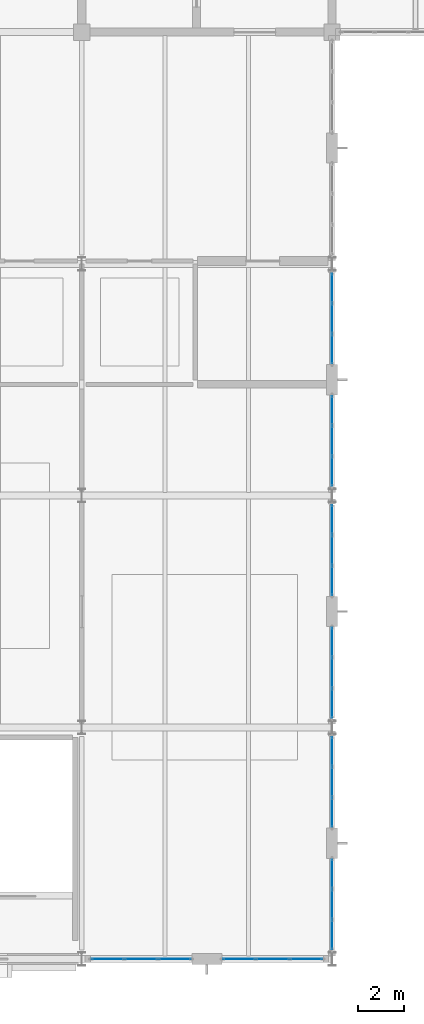
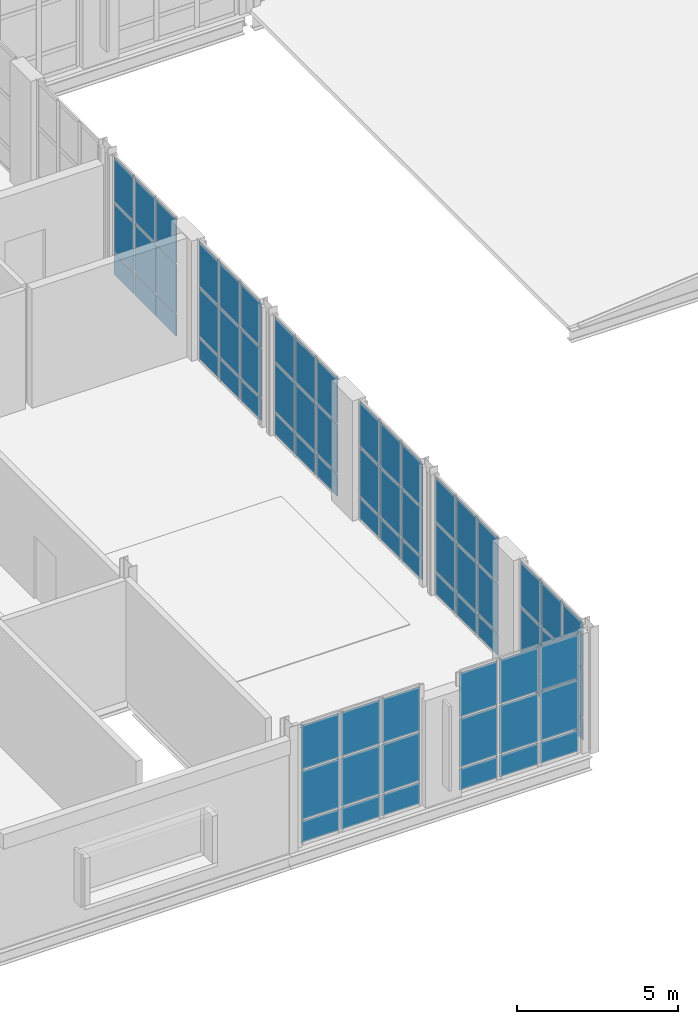
# One storey, part 56 of 92: 72 plates, 8 elements without a shape of their own.
"""IFC4 building model written with IfcOpenShell, lengths in metres."""

from ifc_helpers import new_model, si_unit, direction, frame, origin, origin_2d, place, context, subcontext, project, spatial, rectangle, extrude, material, layer, layer_set, type_object, element, aggregate, save


model = new_model("IFC4")

# Units and contexts
model_context = context("Model", 3, precision=1e-05, world=origin(), true_north=direction((0.0, 1.0)))
body_context = subcontext(model_context, "Body", "Model", "MODEL_VIEW")
ifc_project = project(units=[si_unit("LENGTHUNIT", "METRE"), si_unit("AREAUNIT", "SQUARE_METRE"), si_unit("VOLUMEUNIT", "CUBIC_METRE"), si_unit("PLANEANGLEUNIT", "RADIAN"), si_unit("MASSUNIT", "GRAM", prefix="KILO")], contexts=[model_context])

# Site, building, storey
site_placement = place(None, origin())
site = spatial("IfcSite", under=ifc_project, at=site_placement, CompositionType="ELEMENT")
building_placement = place(site_placement, origin())
building = spatial("IfcBuilding", under=site, at=building_placement, Name="Tasgan Crest Museum", CompositionType="ELEMENT")
storey_placement = place(building_placement, frame((0.0, 0.0, 4.800048828125)))
storey = spatial("IfcBuildingStorey", under=building, at=storey_placement, Name="L01", CompositionType="ELEMENT", Elevation=4.800048828125)

# Curtain wall, plates
ifc_material_1 = material(Name="Triple-Glazed Aluminium Curtain Wall", Category="aluminium")
ifc_layer_1 = layer(ifc_material_1, 0.179931640625, Name="CW-PORCH-X")
ifc_layer_set_1 = layer_set([ifc_layer_1], Name="Triple-Glazed Aluminium Curtain Wall")
curtain_wall_type_1 = type_object("IfcCurtainWallType", Name="CW-PORCH-X", PredefinedType="NOTDEFINED", material=ifc_layer_set_1)
curtain_wall_1_placement = place(storey_placement, origin())
curtain_wall_1 = element("IfcCurtainWall", 1, at=curtain_wall_1_placement, inside=storey, type_object=curtain_wall_type_1, Name="Curtain wall L01 017", PredefinedType="NOTDEFINED")
ifc_material_2 = material(Name="Insulated Spandrel Glass", Category="glass")
ifc_layer_2 = layer(ifc_material_2, 0.052001953125, Name="CW-PANEL-SPANDREL")
ifc_layer_set_2 = layer_set([ifc_layer_2], Name="Insulated Spandrel Glass")
plate_type_1 = type_object("IfcPlateType", Name="CW-PANEL-SPANDREL", PredefinedType="CURTAIN_PANEL", material=ifc_layer_set_2)
plate_1_placement = place(storey_placement, frame((44.311767578125, 0.0, 0.059814453125), z_axis=(0.0, 0.0, 1.0), x_axis=(1.0, 0.0, 0.0)))
plate_1 = element("IfcPlate", 2, at=plate_1_placement, type_object=plate_type_1, Name="CW01 panel 1.1", PredefinedType="CURTAIN_PANEL", context=body_context, shape_type="SweptSolid", body=[
    extrude(rectangle(XDim=1.373291015625, YDim=0.028076171875, at=origin_2d()), origin(), (0.0, 0.0, 1.0), 0.81005859375),
])
plate_2_placement = place(storey_placement, frame((45.760009765625, 0.0, 0.059814453125), z_axis=(0.0, 0.0, 1.0), x_axis=(1.0, 0.0, 0.0)))
plate_2 = element("IfcPlate", 3, at=plate_2_placement, type_object=plate_type_1, Name="CW01 panel 2.1", PredefinedType="CURTAIN_PANEL", context=body_context, shape_type="SweptSolid", body=[
    extrude(rectangle(XDim=1.4033203125, YDim=0.028076171875, at=origin_2d()), origin(), (0.0, 0.0, 1.0), 0.81005859375),
])
plate_3_placement = place(storey_placement, frame((47.208251953125, 0.0, 0.059814453125), z_axis=(0.0, 0.0, 1.0), x_axis=(1.0, 0.0, 0.0)))
plate_3 = element("IfcPlate", 4, at=plate_3_placement, type_object=plate_type_1, Name="CW01 panel 3.1", PredefinedType="CURTAIN_PANEL", context=body_context, shape_type="SweptSolid", body=[
    extrude(rectangle(XDim=1.373291015625, YDim=0.028076171875, at=origin_2d()), origin(), (0.0, 0.0, 1.0), 0.81005859375),
])

curtain_wall_2_placement = place(storey_placement, origin())
curtain_wall_2 = element("IfcCurtainWall", 5, at=curtain_wall_2_placement, inside=storey, type_object=curtain_wall_type_1, Name="Curtain wall L01 018", PredefinedType="NOTDEFINED")
plate_4_placement = place(storey_placement, frame((49.99169921875, 0.0, 0.059814453125), z_axis=(0.0, 0.0, 1.0), x_axis=(1.0, 0.0, 0.0)))
plate_4 = element("IfcPlate", 6, at=plate_4_placement, type_object=plate_type_1, Name="CW01 panel 1.1", PredefinedType="CURTAIN_PANEL", context=body_context, shape_type="SweptSolid", body=[
    extrude(rectangle(XDim=1.373291015625, YDim=0.028076171875, at=origin_2d()), origin(), (0.0, 0.0, 1.0), 0.81005859375),
])
plate_5_placement = place(storey_placement, frame((51.43994140625, 0.0, 0.059814453125), z_axis=(0.0, 0.0, 1.0), x_axis=(1.0, 0.0, 0.0)))
plate_5 = element("IfcPlate", 7, at=plate_5_placement, type_object=plate_type_1, Name="CW01 panel 2.1", PredefinedType="CURTAIN_PANEL", context=body_context, shape_type="SweptSolid", body=[
    extrude(rectangle(XDim=1.4033203125, YDim=0.028076171875, at=origin_2d()), origin(), (0.0, 0.0, 1.0), 0.81005859375),
])
plate_6_placement = place(storey_placement, frame((52.888427734375, 0.0, 0.059814453125), z_axis=(0.0, 0.0, 1.0), x_axis=(1.0, 0.0, 0.0)))
plate_6 = element("IfcPlate", 8, at=plate_6_placement, type_object=plate_type_1, Name="CW01 panel 3.1", PredefinedType="CURTAIN_PANEL", context=body_context, shape_type="SweptSolid", body=[
    extrude(rectangle(XDim=1.373291015625, YDim=0.028076171875, at=origin_2d()), origin(), (0.0, 0.0, 1.0), 0.81005859375),
])

ifc_material_3 = material(Name="Triple-Glazed Aluminium Curtain Wall", Category="aluminium")
ifc_layer_3 = layer(ifc_material_3, 0.179931640625, Name="CW-PORCH-Y")
ifc_layer_set_3 = layer_set([ifc_layer_3], Name="Triple-Glazed Aluminium Curtain Wall")
curtain_wall_type_2 = type_object("IfcCurtainWallType", Name="CW-PORCH-Y", PredefinedType="NOTDEFINED", material=ifc_layer_set_3)
curtain_wall_3_placement = place(storey_placement, origin())
curtain_wall_3 = element("IfcCurtainWall", 9, at=curtain_wall_3_placement, inside=storey, type_object=curtain_wall_type_2, Name="Curtain wall L01 019", PredefinedType="NOTDEFINED")
plate_7_placement = place(storey_placement, frame((54.0, 1.044921875, 0.059814453125), z_axis=(0.0, 0.0, 1.0), x_axis=(0.0, 1.0, 0.0)))
plate_7 = element("IfcPlate", 10, at=plate_7_placement, type_object=plate_type_1, Name="CW02 panel 1.1", PredefinedType="CURTAIN_PANEL", context=body_context, shape_type="SweptSolid", body=[
    extrude(rectangle(XDim=1.239990234375, YDim=0.028076171875, at=origin_2d()), origin(), (0.0, 0.0, 1.0), 0.81005859375),
])
plate_8_placement = place(storey_placement, frame((54.0, 2.360107421875, 0.059814453125), z_axis=(0.0, 0.0, 1.0), x_axis=(0.0, 1.0, 0.0)))
plate_8 = element("IfcPlate", 11, at=plate_8_placement, type_object=plate_type_1, Name="CW02 panel 2.1", PredefinedType="CURTAIN_PANEL", context=body_context, shape_type="SweptSolid", body=[
    extrude(rectangle(XDim=1.27001953125, YDim=0.028076171875, at=origin_2d()), origin(), (0.0, 0.0, 1.0), 0.81005859375),
])
plate_9_placement = place(storey_placement, frame((54.0, 3.675048828125, 0.059814453125), z_axis=(0.0, 0.0, 1.0), x_axis=(0.0, 1.0, 0.0)))
plate_9 = element("IfcPlate", 12, at=plate_9_placement, type_object=plate_type_1, Name="CW02 panel 3.1", PredefinedType="CURTAIN_PANEL", context=body_context, shape_type="SweptSolid", body=[
    extrude(rectangle(XDim=1.239990234375, YDim=0.028076171875, at=origin_2d()), origin(), (0.0, 0.0, 1.0), 0.81005859375),
])

curtain_wall_4_placement = place(storey_placement, origin())
curtain_wall_4 = element("IfcCurtainWall", 13, at=curtain_wall_4_placement, inside=storey, type_object=curtain_wall_type_2, Name="Curtain wall L01 020", PredefinedType="NOTDEFINED")
plate_10_placement = place(storey_placement, frame((54.0, 6.324951171875, 0.059814453125), z_axis=(0.0, 0.0, 1.0), x_axis=(0.0, 1.0, 0.0)))
plate_10 = element("IfcPlate", 14, at=plate_10_placement, type_object=plate_type_1, Name="CW02 panel 1.1", PredefinedType="CURTAIN_PANEL", context=body_context, shape_type="SweptSolid", body=[
    extrude(rectangle(XDim=1.239990234375, YDim=0.028076171875, at=origin_2d()), origin(), (0.0, 0.0, 1.0), 0.81005859375),
])
plate_11_placement = place(storey_placement, frame((54.0, 7.639892578125, 0.059814453125), z_axis=(0.0, 0.0, 1.0), x_axis=(0.0, 1.0, 0.0)))
plate_11 = element("IfcPlate", 15, at=plate_11_placement, type_object=plate_type_1, Name="CW02 panel 2.1", PredefinedType="CURTAIN_PANEL", context=body_context, shape_type="SweptSolid", body=[
    extrude(rectangle(XDim=1.27001953125, YDim=0.028076171875, at=origin_2d()), origin(), (0.0, 0.0, 1.0), 0.81005859375),
])
plate_12_placement = place(storey_placement, frame((54.0, 8.955078125, 0.059814453125), z_axis=(0.0, 0.0, 1.0), x_axis=(0.0, 1.0, 0.0)))
plate_12 = element("IfcPlate", 16, at=plate_12_placement, type_object=plate_type_1, Name="CW02 panel 3.1", PredefinedType="CURTAIN_PANEL", context=body_context, shape_type="SweptSolid", body=[
    extrude(rectangle(XDim=1.239990234375, YDim=0.028076171875, at=origin_2d()), origin(), (0.0, 0.0, 1.0), 0.81005859375),
])

curtain_wall_5_placement = place(storey_placement, origin())
curtain_wall_5 = element("IfcCurtainWall", 17, at=curtain_wall_5_placement, inside=storey, type_object=curtain_wall_type_2, Name="Curtain wall L01 021", PredefinedType="NOTDEFINED")
plate_13_placement = place(storey_placement, frame((54.0, 11.044921875, 0.059814453125), z_axis=(0.0, 0.0, 1.0), x_axis=(0.0, 1.0, 0.0)))
plate_13 = element("IfcPlate", 18, at=plate_13_placement, type_object=plate_type_1, Name="CW02 panel 1.1", PredefinedType="CURTAIN_PANEL", context=body_context, shape_type="SweptSolid", body=[
    extrude(rectangle(XDim=1.239990234375, YDim=0.028076171875, at=origin_2d()), origin(), (0.0, 0.0, 1.0), 0.81005859375),
])
plate_14_placement = place(storey_placement, frame((54.0, 12.360107421875, 0.059814453125), z_axis=(0.0, 0.0, 1.0), x_axis=(0.0, 1.0, 0.0)))
plate_14 = element("IfcPlate", 19, at=plate_14_placement, type_object=plate_type_1, Name="CW02 panel 2.1", PredefinedType="CURTAIN_PANEL", context=body_context, shape_type="SweptSolid", body=[
    extrude(rectangle(XDim=1.27001953125, YDim=0.028076171875, at=origin_2d()), origin(), (0.0, 0.0, 1.0), 0.81005859375),
])
plate_15_placement = place(storey_placement, frame((54.0, 13.675048828125, 0.059814453125), z_axis=(0.0, 0.0, 1.0), x_axis=(0.0, 1.0, 0.0)))
plate_15 = element("IfcPlate", 20, at=plate_15_placement, type_object=plate_type_1, Name="CW02 panel 3.1", PredefinedType="CURTAIN_PANEL", context=body_context, shape_type="SweptSolid", body=[
    extrude(rectangle(XDim=1.239990234375, YDim=0.028076171875, at=origin_2d()), origin(), (0.0, 0.0, 1.0), 0.81005859375),
])

curtain_wall_6_placement = place(storey_placement, origin())
curtain_wall_6 = element("IfcCurtainWall", 21, at=curtain_wall_6_placement, inside=storey, type_object=curtain_wall_type_2, Name="Curtain wall L01 022", PredefinedType="NOTDEFINED")
plate_16_placement = place(storey_placement, frame((54.0, 16.324951171875, 0.059814453125), z_axis=(0.0, 0.0, 1.0), x_axis=(0.0, 1.0, 0.0)))
plate_16 = element("IfcPlate", 22, at=plate_16_placement, type_object=plate_type_1, Name="CW02 panel 1.1", PredefinedType="CURTAIN_PANEL", context=body_context, shape_type="SweptSolid", body=[
    extrude(rectangle(XDim=1.239990234375, YDim=0.028076171875, at=origin_2d()), origin(), (0.0, 0.0, 1.0), 0.81005859375),
])
plate_17_placement = place(storey_placement, frame((54.0, 17.639892578125, 0.059814453125), z_axis=(0.0, 0.0, 1.0), x_axis=(0.0, 1.0, 0.0)))
plate_17 = element("IfcPlate", 23, at=plate_17_placement, type_object=plate_type_1, Name="CW02 panel 2.1", PredefinedType="CURTAIN_PANEL", context=body_context, shape_type="SweptSolid", body=[
    extrude(rectangle(XDim=1.27001953125, YDim=0.028076171875, at=origin_2d()), origin(), (0.0, 0.0, 1.0), 0.81005859375),
])
plate_18_placement = place(storey_placement, frame((54.0, 18.955078125, 0.059814453125), z_axis=(0.0, 0.0, 1.0), x_axis=(0.0, 1.0, 0.0)))
plate_18 = element("IfcPlate", 24, at=plate_18_placement, type_object=plate_type_1, Name="CW02 panel 3.1", PredefinedType="CURTAIN_PANEL", context=body_context, shape_type="SweptSolid", body=[
    extrude(rectangle(XDim=1.239990234375, YDim=0.028076171875, at=origin_2d()), origin(), (0.0, 0.0, 1.0), 0.81005859375),
])

curtain_wall_7_placement = place(storey_placement, origin())
curtain_wall_7 = element("IfcCurtainWall", 25, at=curtain_wall_7_placement, inside=storey, type_object=curtain_wall_type_2, Name="Curtain wall L01 023", PredefinedType="NOTDEFINED")
plate_19_placement = place(storey_placement, frame((54.0, 21.044921875, 0.059814453125), z_axis=(0.0, 0.0, 1.0), x_axis=(0.0, 1.0, 0.0)))
plate_19 = element("IfcPlate", 26, at=plate_19_placement, type_object=plate_type_1, Name="CW02 panel 1.1", PredefinedType="CURTAIN_PANEL", context=body_context, shape_type="SweptSolid", body=[
    extrude(rectangle(XDim=1.239990234375, YDim=0.028076171875, at=origin_2d()), origin(), (0.0, 0.0, 1.0), 0.81005859375),
])
plate_20_placement = place(storey_placement, frame((54.0, 22.360107421875, 0.059814453125), z_axis=(0.0, 0.0, 1.0), x_axis=(0.0, 1.0, 0.0)))
plate_20 = element("IfcPlate", 27, at=plate_20_placement, type_object=plate_type_1, Name="CW02 panel 2.1", PredefinedType="CURTAIN_PANEL", context=body_context, shape_type="SweptSolid", body=[
    extrude(rectangle(XDim=1.27001953125, YDim=0.028076171875, at=origin_2d()), origin(), (0.0, 0.0, 1.0), 0.81005859375),
])
plate_21_placement = place(storey_placement, frame((54.0, 23.675048828125, 0.059814453125), z_axis=(0.0, 0.0, 1.0), x_axis=(0.0, 1.0, 0.0)))
plate_21 = element("IfcPlate", 28, at=plate_21_placement, type_object=plate_type_1, Name="CW02 panel 3.1", PredefinedType="CURTAIN_PANEL", context=body_context, shape_type="SweptSolid", body=[
    extrude(rectangle(XDim=1.239990234375, YDim=0.028076171875, at=origin_2d()), origin(), (0.0, 0.0, 1.0), 0.81005859375),
])

curtain_wall_8_placement = place(storey_placement, origin())
curtain_wall_8 = element("IfcCurtainWall", 29, at=curtain_wall_8_placement, inside=storey, type_object=curtain_wall_type_2, Name="Curtain wall L01 024", PredefinedType="NOTDEFINED")
plate_22_placement = place(storey_placement, frame((54.0, 26.324951171875, 0.059814453125), z_axis=(0.0, 0.0, 1.0), x_axis=(0.0, 1.0, 0.0)))
plate_22 = element("IfcPlate", 30, at=plate_22_placement, type_object=plate_type_1, Name="CW02 panel 1.1", PredefinedType="CURTAIN_PANEL", context=body_context, shape_type="SweptSolid", body=[
    extrude(rectangle(XDim=1.239990234375, YDim=0.028076171875, at=origin_2d()), origin(), (0.0, 0.0, 1.0), 0.81005859375),
])
plate_23_placement = place(storey_placement, frame((54.0, 27.639892578125, 0.059814453125), z_axis=(0.0, 0.0, 1.0), x_axis=(0.0, 1.0, 0.0)))
plate_23 = element("IfcPlate", 31, at=plate_23_placement, type_object=plate_type_1, Name="CW02 panel 2.1", PredefinedType="CURTAIN_PANEL", context=body_context, shape_type="SweptSolid", body=[
    extrude(rectangle(XDim=1.27001953125, YDim=0.028076171875, at=origin_2d()), origin(), (0.0, 0.0, 1.0), 0.81005859375),
])
plate_24_placement = place(storey_placement, frame((54.0, 28.955078125, 0.059814453125), z_axis=(0.0, 0.0, 1.0), x_axis=(0.0, 1.0, 0.0)))
plate_24 = element("IfcPlate", 32, at=plate_24_placement, type_object=plate_type_1, Name="CW02 panel 3.1", PredefinedType="CURTAIN_PANEL", context=body_context, shape_type="SweptSolid", body=[
    extrude(rectangle(XDim=1.239990234375, YDim=0.028076171875, at=origin_2d()), origin(), (0.0, 0.0, 1.0), 0.81005859375),
])

# Plate
ifc_material_4 = material(Name="Low-E Triple Glazing", Category="glass")
ifc_layer_4 = layer(ifc_material_4, 0.0439453125, Name="CW-PANEL-TRIPLE")
ifc_layer_set_4 = layer_set([ifc_layer_4], Name="Low-E Triple Glazing")
plate_type_2 = type_object("IfcPlateType", Name="CW-PANEL-TRIPLE", PredefinedType="CURTAIN_PANEL", material=ifc_layer_set_4)
plate_25_placement = place(storey_placement, frame((44.311767578125, 0.0, 0.9296875), z_axis=(0.0, 0.0, 1.0), x_axis=(1.0, 0.0, 0.0)))
plate_25 = element("IfcPlate", 33, at=plate_25_placement, type_object=plate_type_2, Name="CW01 panel 1.2", PredefinedType="CURTAIN_PANEL", context=body_context, shape_type="SweptSolid", body=[
    extrude(rectangle(XDim=1.373291015625, YDim=0.028076171875, at=origin_2d()), origin(), (0.0, 0.0, 1.0), 1.840087890625),
])

plate_26_placement = place(storey_placement, frame((44.311767578125, 0.0, 2.830078125), z_axis=(0.0, 0.0, 1.0), x_axis=(1.0, 0.0, 0.0)))
plate_26 = element("IfcPlate", 34, at=plate_26_placement, type_object=plate_type_2, Name="CW01 panel 1.3", PredefinedType="CURTAIN_PANEL", context=body_context, shape_type="SweptSolid", body=[
    extrude(rectangle(XDim=1.373291015625, YDim=0.028076171875, at=origin_2d()), origin(), (0.0, 0.0, 1.0), 1.669921875),
])

plate_27_placement = place(storey_placement, frame((45.760009765625, 0.0, 0.9296875), z_axis=(0.0, 0.0, 1.0), x_axis=(1.0, 0.0, 0.0)))
plate_27 = element("IfcPlate", 35, at=plate_27_placement, type_object=plate_type_2, Name="CW01 panel 2.2", PredefinedType="CURTAIN_PANEL", context=body_context, shape_type="SweptSolid", body=[
    extrude(rectangle(XDim=1.4033203125, YDim=0.028076171875, at=origin_2d()), origin(), (0.0, 0.0, 1.0), 1.840087890625),
])

plate_28_placement = place(storey_placement, frame((45.760009765625, 0.0, 2.830078125), z_axis=(0.0, 0.0, 1.0), x_axis=(1.0, 0.0, 0.0)))
plate_28 = element("IfcPlate", 36, at=plate_28_placement, type_object=plate_type_2, Name="CW01 panel 2.3", PredefinedType="CURTAIN_PANEL", context=body_context, shape_type="SweptSolid", body=[
    extrude(rectangle(XDim=1.4033203125, YDim=0.028076171875, at=origin_2d()), origin(), (0.0, 0.0, 1.0), 1.669921875),
])

plate_29_placement = place(storey_placement, frame((47.208251953125, 0.0, 0.9296875), z_axis=(0.0, 0.0, 1.0), x_axis=(1.0, 0.0, 0.0)))
plate_29 = element("IfcPlate", 37, at=plate_29_placement, type_object=plate_type_2, Name="CW01 panel 3.2", PredefinedType="CURTAIN_PANEL", context=body_context, shape_type="SweptSolid", body=[
    extrude(rectangle(XDim=1.373291015625, YDim=0.028076171875, at=origin_2d()), origin(), (0.0, 0.0, 1.0), 1.840087890625),
])

plate_30_placement = place(storey_placement, frame((47.208251953125, 0.0, 2.830078125), z_axis=(0.0, 0.0, 1.0), x_axis=(1.0, 0.0, 0.0)))
plate_30 = element("IfcPlate", 38, at=plate_30_placement, type_object=plate_type_2, Name="CW01 panel 3.3", PredefinedType="CURTAIN_PANEL", context=body_context, shape_type="SweptSolid", body=[
    extrude(rectangle(XDim=1.373291015625, YDim=0.028076171875, at=origin_2d()), origin(), (0.0, 0.0, 1.0), 1.669921875),
])

aggregate(curtain_wall_1, [plate_1, plate_25, plate_26, plate_2, plate_27, plate_28, plate_3, plate_29, plate_30])

plate_31_placement = place(storey_placement, frame((49.99169921875, 0.0, 0.9296875), z_axis=(0.0, 0.0, 1.0), x_axis=(1.0, 0.0, 0.0)))
plate_31 = element("IfcPlate", 39, at=plate_31_placement, type_object=plate_type_2, Name="CW01 panel 1.2", PredefinedType="CURTAIN_PANEL", context=body_context, shape_type="SweptSolid", body=[
    extrude(rectangle(XDim=1.373291015625, YDim=0.028076171875, at=origin_2d()), origin(), (0.0, 0.0, 1.0), 1.840087890625),
])

plate_32_placement = place(storey_placement, frame((49.99169921875, 0.0, 2.830078125), z_axis=(0.0, 0.0, 1.0), x_axis=(1.0, 0.0, 0.0)))
plate_32 = element("IfcPlate", 40, at=plate_32_placement, type_object=plate_type_2, Name="CW01 panel 1.3", PredefinedType="CURTAIN_PANEL", context=body_context, shape_type="SweptSolid", body=[
    extrude(rectangle(XDim=1.373291015625, YDim=0.028076171875, at=origin_2d()), origin(), (0.0, 0.0, 1.0), 1.669921875),
])

plate_33_placement = place(storey_placement, frame((51.43994140625, 0.0, 0.9296875), z_axis=(0.0, 0.0, 1.0), x_axis=(1.0, 0.0, 0.0)))
plate_33 = element("IfcPlate", 41, at=plate_33_placement, type_object=plate_type_2, Name="CW01 panel 2.2", PredefinedType="CURTAIN_PANEL", context=body_context, shape_type="SweptSolid", body=[
    extrude(rectangle(XDim=1.4033203125, YDim=0.028076171875, at=origin_2d()), origin(), (0.0, 0.0, 1.0), 1.840087890625),
])

plate_34_placement = place(storey_placement, frame((51.43994140625, 0.0, 2.830078125), z_axis=(0.0, 0.0, 1.0), x_axis=(1.0, 0.0, 0.0)))
plate_34 = element("IfcPlate", 42, at=plate_34_placement, type_object=plate_type_2, Name="CW01 panel 2.3", PredefinedType="CURTAIN_PANEL", context=body_context, shape_type="SweptSolid", body=[
    extrude(rectangle(XDim=1.4033203125, YDim=0.028076171875, at=origin_2d()), origin(), (0.0, 0.0, 1.0), 1.669921875),
])

plate_35_placement = place(storey_placement, frame((52.888427734375, 0.0, 0.9296875), z_axis=(0.0, 0.0, 1.0), x_axis=(1.0, 0.0, 0.0)))
plate_35 = element("IfcPlate", 43, at=plate_35_placement, type_object=plate_type_2, Name="CW01 panel 3.2", PredefinedType="CURTAIN_PANEL", context=body_context, shape_type="SweptSolid", body=[
    extrude(rectangle(XDim=1.373291015625, YDim=0.028076171875, at=origin_2d()), origin(), (0.0, 0.0, 1.0), 1.840087890625),
])

plate_36_placement = place(storey_placement, frame((52.888427734375, 0.0, 2.830078125), z_axis=(0.0, 0.0, 1.0), x_axis=(1.0, 0.0, 0.0)))
plate_36 = element("IfcPlate", 44, at=plate_36_placement, type_object=plate_type_2, Name="CW01 panel 3.3", PredefinedType="CURTAIN_PANEL", context=body_context, shape_type="SweptSolid", body=[
    extrude(rectangle(XDim=1.373291015625, YDim=0.028076171875, at=origin_2d()), origin(), (0.0, 0.0, 1.0), 1.669921875),
])

aggregate(curtain_wall_2, [plate_4, plate_31, plate_32, plate_5, plate_33, plate_34, plate_6, plate_35, plate_36])

plate_37_placement = place(storey_placement, frame((54.0, 1.044921875, 0.9296875), z_axis=(0.0, 0.0, 1.0), x_axis=(0.0, 1.0, 0.0)))
plate_37 = element("IfcPlate", 45, at=plate_37_placement, type_object=plate_type_2, Name="CW02 panel 1.2", PredefinedType="CURTAIN_PANEL", context=body_context, shape_type="SweptSolid", body=[
    extrude(rectangle(XDim=1.239990234375, YDim=0.028076171875, at=origin_2d()), origin(), (0.0, 0.0, 1.0), 1.840087890625),
])

plate_38_placement = place(storey_placement, frame((54.0, 1.044921875, 2.830078125), z_axis=(0.0, 0.0, 1.0), x_axis=(0.0, 1.0, 0.0)))
plate_38 = element("IfcPlate", 46, at=plate_38_placement, type_object=plate_type_2, Name="CW02 panel 1.3", PredefinedType="CURTAIN_PANEL", context=body_context, shape_type="SweptSolid", body=[
    extrude(rectangle(XDim=1.239990234375, YDim=0.028076171875, at=origin_2d()), origin(), (0.0, 0.0, 1.0), 1.669921875),
])

plate_39_placement = place(storey_placement, frame((54.0, 2.360107421875, 0.9296875), z_axis=(0.0, 0.0, 1.0), x_axis=(0.0, 1.0, 0.0)))
plate_39 = element("IfcPlate", 47, at=plate_39_placement, type_object=plate_type_2, Name="CW02 panel 2.2", PredefinedType="CURTAIN_PANEL", context=body_context, shape_type="SweptSolid", body=[
    extrude(rectangle(XDim=1.27001953125, YDim=0.028076171875, at=origin_2d()), origin(), (0.0, 0.0, 1.0), 1.840087890625),
])

plate_40_placement = place(storey_placement, frame((54.0, 2.360107421875, 2.830078125), z_axis=(0.0, 0.0, 1.0), x_axis=(0.0, 1.0, 0.0)))
plate_40 = element("IfcPlate", 48, at=plate_40_placement, type_object=plate_type_2, Name="CW02 panel 2.3", PredefinedType="CURTAIN_PANEL", context=body_context, shape_type="SweptSolid", body=[
    extrude(rectangle(XDim=1.27001953125, YDim=0.028076171875, at=origin_2d()), origin(), (0.0, 0.0, 1.0), 1.669921875),
])

plate_41_placement = place(storey_placement, frame((54.0, 3.675048828125, 0.9296875), z_axis=(0.0, 0.0, 1.0), x_axis=(0.0, 1.0, 0.0)))
plate_41 = element("IfcPlate", 49, at=plate_41_placement, type_object=plate_type_2, Name="CW02 panel 3.2", PredefinedType="CURTAIN_PANEL", context=body_context, shape_type="SweptSolid", body=[
    extrude(rectangle(XDim=1.239990234375, YDim=0.028076171875, at=origin_2d()), origin(), (0.0, 0.0, 1.0), 1.840087890625),
])

plate_42_placement = place(storey_placement, frame((54.0, 3.675048828125, 2.830078125), z_axis=(0.0, 0.0, 1.0), x_axis=(0.0, 1.0, 0.0)))
plate_42 = element("IfcPlate", 50, at=plate_42_placement, type_object=plate_type_2, Name="CW02 panel 3.3", PredefinedType="CURTAIN_PANEL", context=body_context, shape_type="SweptSolid", body=[
    extrude(rectangle(XDim=1.239990234375, YDim=0.028076171875, at=origin_2d()), origin(), (0.0, 0.0, 1.0), 1.669921875),
])

aggregate(curtain_wall_3, [plate_7, plate_37, plate_38, plate_8, plate_39, plate_40, plate_9, plate_41, plate_42])

plate_43_placement = place(storey_placement, frame((54.0, 6.324951171875, 0.9296875), z_axis=(0.0, 0.0, 1.0), x_axis=(0.0, 1.0, 0.0)))
plate_43 = element("IfcPlate", 51, at=plate_43_placement, type_object=plate_type_2, Name="CW02 panel 1.2", PredefinedType="CURTAIN_PANEL", context=body_context, shape_type="SweptSolid", body=[
    extrude(rectangle(XDim=1.239990234375, YDim=0.028076171875, at=origin_2d()), origin(), (0.0, 0.0, 1.0), 1.840087890625),
])

plate_44_placement = place(storey_placement, frame((54.0, 6.324951171875, 2.830078125), z_axis=(0.0, 0.0, 1.0), x_axis=(0.0, 1.0, 0.0)))
plate_44 = element("IfcPlate", 52, at=plate_44_placement, type_object=plate_type_2, Name="CW02 panel 1.3", PredefinedType="CURTAIN_PANEL", context=body_context, shape_type="SweptSolid", body=[
    extrude(rectangle(XDim=1.239990234375, YDim=0.028076171875, at=origin_2d()), origin(), (0.0, 0.0, 1.0), 1.669921875),
])

plate_45_placement = place(storey_placement, frame((54.0, 7.639892578125, 0.9296875), z_axis=(0.0, 0.0, 1.0), x_axis=(0.0, 1.0, 0.0)))
plate_45 = element("IfcPlate", 53, at=plate_45_placement, type_object=plate_type_2, Name="CW02 panel 2.2", PredefinedType="CURTAIN_PANEL", context=body_context, shape_type="SweptSolid", body=[
    extrude(rectangle(XDim=1.27001953125, YDim=0.028076171875, at=origin_2d()), origin(), (0.0, 0.0, 1.0), 1.840087890625),
])

plate_46_placement = place(storey_placement, frame((54.0, 7.639892578125, 2.830078125), z_axis=(0.0, 0.0, 1.0), x_axis=(0.0, 1.0, 0.0)))
plate_46 = element("IfcPlate", 54, at=plate_46_placement, type_object=plate_type_2, Name="CW02 panel 2.3", PredefinedType="CURTAIN_PANEL", context=body_context, shape_type="SweptSolid", body=[
    extrude(rectangle(XDim=1.27001953125, YDim=0.028076171875, at=origin_2d()), origin(), (0.0, 0.0, 1.0), 1.669921875),
])

plate_47_placement = place(storey_placement, frame((54.0, 8.955078125, 0.9296875), z_axis=(0.0, 0.0, 1.0), x_axis=(0.0, 1.0, 0.0)))
plate_47 = element("IfcPlate", 55, at=plate_47_placement, type_object=plate_type_2, Name="CW02 panel 3.2", PredefinedType="CURTAIN_PANEL", context=body_context, shape_type="SweptSolid", body=[
    extrude(rectangle(XDim=1.239990234375, YDim=0.028076171875, at=origin_2d()), origin(), (0.0, 0.0, 1.0), 1.840087890625),
])

plate_48_placement = place(storey_placement, frame((54.0, 8.955078125, 2.830078125), z_axis=(0.0, 0.0, 1.0), x_axis=(0.0, 1.0, 0.0)))
plate_48 = element("IfcPlate", 56, at=plate_48_placement, type_object=plate_type_2, Name="CW02 panel 3.3", PredefinedType="CURTAIN_PANEL", context=body_context, shape_type="SweptSolid", body=[
    extrude(rectangle(XDim=1.239990234375, YDim=0.028076171875, at=origin_2d()), origin(), (0.0, 0.0, 1.0), 1.669921875),
])

aggregate(curtain_wall_4, [plate_10, plate_43, plate_44, plate_11, plate_45, plate_46, plate_12, plate_47, plate_48])

plate_49_placement = place(storey_placement, frame((54.0, 11.044921875, 0.9296875), z_axis=(0.0, 0.0, 1.0), x_axis=(0.0, 1.0, 0.0)))
plate_49 = element("IfcPlate", 57, at=plate_49_placement, type_object=plate_type_2, Name="CW02 panel 1.2", PredefinedType="CURTAIN_PANEL", context=body_context, shape_type="SweptSolid", body=[
    extrude(rectangle(XDim=1.239990234375, YDim=0.028076171875, at=origin_2d()), origin(), (0.0, 0.0, 1.0), 1.840087890625),
])

plate_50_placement = place(storey_placement, frame((54.0, 11.044921875, 2.830078125), z_axis=(0.0, 0.0, 1.0), x_axis=(0.0, 1.0, 0.0)))
plate_50 = element("IfcPlate", 58, at=plate_50_placement, type_object=plate_type_2, Name="CW02 panel 1.3", PredefinedType="CURTAIN_PANEL", context=body_context, shape_type="SweptSolid", body=[
    extrude(rectangle(XDim=1.239990234375, YDim=0.028076171875, at=origin_2d()), origin(), (0.0, 0.0, 1.0), 1.669921875),
])

plate_51_placement = place(storey_placement, frame((54.0, 12.360107421875, 0.9296875), z_axis=(0.0, 0.0, 1.0), x_axis=(0.0, 1.0, 0.0)))
plate_51 = element("IfcPlate", 59, at=plate_51_placement, type_object=plate_type_2, Name="CW02 panel 2.2", PredefinedType="CURTAIN_PANEL", context=body_context, shape_type="SweptSolid", body=[
    extrude(rectangle(XDim=1.27001953125, YDim=0.028076171875, at=origin_2d()), origin(), (0.0, 0.0, 1.0), 1.840087890625),
])

plate_52_placement = place(storey_placement, frame((54.0, 12.360107421875, 2.830078125), z_axis=(0.0, 0.0, 1.0), x_axis=(0.0, 1.0, 0.0)))
plate_52 = element("IfcPlate", 60, at=plate_52_placement, type_object=plate_type_2, Name="CW02 panel 2.3", PredefinedType="CURTAIN_PANEL", context=body_context, shape_type="SweptSolid", body=[
    extrude(rectangle(XDim=1.27001953125, YDim=0.028076171875, at=origin_2d()), origin(), (0.0, 0.0, 1.0), 1.669921875),
])

plate_53_placement = place(storey_placement, frame((54.0, 13.675048828125, 0.9296875), z_axis=(0.0, 0.0, 1.0), x_axis=(0.0, 1.0, 0.0)))
plate_53 = element("IfcPlate", 61, at=plate_53_placement, type_object=plate_type_2, Name="CW02 panel 3.2", PredefinedType="CURTAIN_PANEL", context=body_context, shape_type="SweptSolid", body=[
    extrude(rectangle(XDim=1.239990234375, YDim=0.028076171875, at=origin_2d()), origin(), (0.0, 0.0, 1.0), 1.840087890625),
])

plate_54_placement = place(storey_placement, frame((54.0, 13.675048828125, 2.830078125), z_axis=(0.0, 0.0, 1.0), x_axis=(0.0, 1.0, 0.0)))
plate_54 = element("IfcPlate", 62, at=plate_54_placement, type_object=plate_type_2, Name="CW02 panel 3.3", PredefinedType="CURTAIN_PANEL", context=body_context, shape_type="SweptSolid", body=[
    extrude(rectangle(XDim=1.239990234375, YDim=0.028076171875, at=origin_2d()), origin(), (0.0, 0.0, 1.0), 1.669921875),
])

aggregate(curtain_wall_5, [plate_13, plate_49, plate_50, plate_14, plate_51, plate_52, plate_15, plate_53, plate_54])

plate_55_placement = place(storey_placement, frame((54.0, 16.324951171875, 0.9296875), z_axis=(0.0, 0.0, 1.0), x_axis=(0.0, 1.0, 0.0)))
plate_55 = element("IfcPlate", 63, at=plate_55_placement, type_object=plate_type_2, Name="CW02 panel 1.2", PredefinedType="CURTAIN_PANEL", context=body_context, shape_type="SweptSolid", body=[
    extrude(rectangle(XDim=1.239990234375, YDim=0.028076171875, at=origin_2d()), origin(), (0.0, 0.0, 1.0), 1.840087890625),
])

plate_56_placement = place(storey_placement, frame((54.0, 16.324951171875, 2.830078125), z_axis=(0.0, 0.0, 1.0), x_axis=(0.0, 1.0, 0.0)))
plate_56 = element("IfcPlate", 64, at=plate_56_placement, type_object=plate_type_2, Name="CW02 panel 1.3", PredefinedType="CURTAIN_PANEL", context=body_context, shape_type="SweptSolid", body=[
    extrude(rectangle(XDim=1.239990234375, YDim=0.028076171875, at=origin_2d()), origin(), (0.0, 0.0, 1.0), 1.669921875),
])

plate_57_placement = place(storey_placement, frame((54.0, 17.639892578125, 0.9296875), z_axis=(0.0, 0.0, 1.0), x_axis=(0.0, 1.0, 0.0)))
plate_57 = element("IfcPlate", 65, at=plate_57_placement, type_object=plate_type_2, Name="CW02 panel 2.2", PredefinedType="CURTAIN_PANEL", context=body_context, shape_type="SweptSolid", body=[
    extrude(rectangle(XDim=1.27001953125, YDim=0.028076171875, at=origin_2d()), origin(), (0.0, 0.0, 1.0), 1.840087890625),
])

plate_58_placement = place(storey_placement, frame((54.0, 17.639892578125, 2.830078125), z_axis=(0.0, 0.0, 1.0), x_axis=(0.0, 1.0, 0.0)))
plate_58 = element("IfcPlate", 66, at=plate_58_placement, type_object=plate_type_2, Name="CW02 panel 2.3", PredefinedType="CURTAIN_PANEL", context=body_context, shape_type="SweptSolid", body=[
    extrude(rectangle(XDim=1.27001953125, YDim=0.028076171875, at=origin_2d()), origin(), (0.0, 0.0, 1.0), 1.669921875),
])

plate_59_placement = place(storey_placement, frame((54.0, 18.955078125, 0.9296875), z_axis=(0.0, 0.0, 1.0), x_axis=(0.0, 1.0, 0.0)))
plate_59 = element("IfcPlate", 67, at=plate_59_placement, type_object=plate_type_2, Name="CW02 panel 3.2", PredefinedType="CURTAIN_PANEL", context=body_context, shape_type="SweptSolid", body=[
    extrude(rectangle(XDim=1.239990234375, YDim=0.028076171875, at=origin_2d()), origin(), (0.0, 0.0, 1.0), 1.840087890625),
])

plate_60_placement = place(storey_placement, frame((54.0, 18.955078125, 2.830078125), z_axis=(0.0, 0.0, 1.0), x_axis=(0.0, 1.0, 0.0)))
plate_60 = element("IfcPlate", 68, at=plate_60_placement, type_object=plate_type_2, Name="CW02 panel 3.3", PredefinedType="CURTAIN_PANEL", context=body_context, shape_type="SweptSolid", body=[
    extrude(rectangle(XDim=1.239990234375, YDim=0.028076171875, at=origin_2d()), origin(), (0.0, 0.0, 1.0), 1.669921875),
])

aggregate(curtain_wall_6, [plate_16, plate_55, plate_56, plate_17, plate_57, plate_58, plate_18, plate_59, plate_60])

plate_61_placement = place(storey_placement, frame((54.0, 21.044921875, 0.9296875), z_axis=(0.0, 0.0, 1.0), x_axis=(0.0, 1.0, 0.0)))
plate_61 = element("IfcPlate", 69, at=plate_61_placement, type_object=plate_type_2, Name="CW02 panel 1.2", PredefinedType="CURTAIN_PANEL", context=body_context, shape_type="SweptSolid", body=[
    extrude(rectangle(XDim=1.239990234375, YDim=0.028076171875, at=origin_2d()), origin(), (0.0, 0.0, 1.0), 1.840087890625),
])

plate_62_placement = place(storey_placement, frame((54.0, 21.044921875, 2.830078125), z_axis=(0.0, 0.0, 1.0), x_axis=(0.0, 1.0, 0.0)))
plate_62 = element("IfcPlate", 70, at=plate_62_placement, type_object=plate_type_2, Name="CW02 panel 1.3", PredefinedType="CURTAIN_PANEL", context=body_context, shape_type="SweptSolid", body=[
    extrude(rectangle(XDim=1.239990234375, YDim=0.028076171875, at=origin_2d()), origin(), (0.0, 0.0, 1.0), 1.669921875),
])

plate_63_placement = place(storey_placement, frame((54.0, 22.360107421875, 0.9296875), z_axis=(0.0, 0.0, 1.0), x_axis=(0.0, 1.0, 0.0)))
plate_63 = element("IfcPlate", 71, at=plate_63_placement, type_object=plate_type_2, Name="CW02 panel 2.2", PredefinedType="CURTAIN_PANEL", context=body_context, shape_type="SweptSolid", body=[
    extrude(rectangle(XDim=1.27001953125, YDim=0.028076171875, at=origin_2d()), origin(), (0.0, 0.0, 1.0), 1.840087890625),
])

plate_64_placement = place(storey_placement, frame((54.0, 22.360107421875, 2.830078125), z_axis=(0.0, 0.0, 1.0), x_axis=(0.0, 1.0, 0.0)))
plate_64 = element("IfcPlate", 72, at=plate_64_placement, type_object=plate_type_2, Name="CW02 panel 2.3", PredefinedType="CURTAIN_PANEL", context=body_context, shape_type="SweptSolid", body=[
    extrude(rectangle(XDim=1.27001953125, YDim=0.028076171875, at=origin_2d()), origin(), (0.0, 0.0, 1.0), 1.669921875),
])

plate_65_placement = place(storey_placement, frame((54.0, 23.675048828125, 0.9296875), z_axis=(0.0, 0.0, 1.0), x_axis=(0.0, 1.0, 0.0)))
plate_65 = element("IfcPlate", 73, at=plate_65_placement, type_object=plate_type_2, Name="CW02 panel 3.2", PredefinedType="CURTAIN_PANEL", context=body_context, shape_type="SweptSolid", body=[
    extrude(rectangle(XDim=1.239990234375, YDim=0.028076171875, at=origin_2d()), origin(), (0.0, 0.0, 1.0), 1.840087890625),
])

plate_66_placement = place(storey_placement, frame((54.0, 23.675048828125, 2.830078125), z_axis=(0.0, 0.0, 1.0), x_axis=(0.0, 1.0, 0.0)))
plate_66 = element("IfcPlate", 74, at=plate_66_placement, type_object=plate_type_2, Name="CW02 panel 3.3", PredefinedType="CURTAIN_PANEL", context=body_context, shape_type="SweptSolid", body=[
    extrude(rectangle(XDim=1.239990234375, YDim=0.028076171875, at=origin_2d()), origin(), (0.0, 0.0, 1.0), 1.669921875),
])

aggregate(curtain_wall_7, [plate_19, plate_61, plate_62, plate_20, plate_63, plate_64, plate_21, plate_65, plate_66])

plate_67_placement = place(storey_placement, frame((54.0, 26.324951171875, 0.9296875), z_axis=(0.0, 0.0, 1.0), x_axis=(0.0, 1.0, 0.0)))
plate_67 = element("IfcPlate", 75, at=plate_67_placement, type_object=plate_type_2, Name="CW02 panel 1.2", PredefinedType="CURTAIN_PANEL", context=body_context, shape_type="SweptSolid", body=[
    extrude(rectangle(XDim=1.239990234375, YDim=0.028076171875, at=origin_2d()), origin(), (0.0, 0.0, 1.0), 1.840087890625),
])

plate_68_placement = place(storey_placement, frame((54.0, 26.324951171875, 2.830078125), z_axis=(0.0, 0.0, 1.0), x_axis=(0.0, 1.0, 0.0)))
plate_68 = element("IfcPlate", 76, at=plate_68_placement, type_object=plate_type_2, Name="CW02 panel 1.3", PredefinedType="CURTAIN_PANEL", context=body_context, shape_type="SweptSolid", body=[
    extrude(rectangle(XDim=1.239990234375, YDim=0.028076171875, at=origin_2d()), origin(), (0.0, 0.0, 1.0), 1.669921875),
])

plate_69_placement = place(storey_placement, frame((54.0, 27.639892578125, 0.9296875), z_axis=(0.0, 0.0, 1.0), x_axis=(0.0, 1.0, 0.0)))
plate_69 = element("IfcPlate", 77, at=plate_69_placement, type_object=plate_type_2, Name="CW02 panel 2.2", PredefinedType="CURTAIN_PANEL", context=body_context, shape_type="SweptSolid", body=[
    extrude(rectangle(XDim=1.27001953125, YDim=0.028076171875, at=origin_2d()), origin(), (0.0, 0.0, 1.0), 1.840087890625),
])

plate_70_placement = place(storey_placement, frame((54.0, 27.639892578125, 2.830078125), z_axis=(0.0, 0.0, 1.0), x_axis=(0.0, 1.0, 0.0)))
plate_70 = element("IfcPlate", 78, at=plate_70_placement, type_object=plate_type_2, Name="CW02 panel 2.3", PredefinedType="CURTAIN_PANEL", context=body_context, shape_type="SweptSolid", body=[
    extrude(rectangle(XDim=1.27001953125, YDim=0.028076171875, at=origin_2d()), origin(), (0.0, 0.0, 1.0), 1.669921875),
])

plate_71_placement = place(storey_placement, frame((54.0, 28.955078125, 0.9296875), z_axis=(0.0, 0.0, 1.0), x_axis=(0.0, 1.0, 0.0)))
plate_71 = element("IfcPlate", 79, at=plate_71_placement, type_object=plate_type_2, Name="CW02 panel 3.2", PredefinedType="CURTAIN_PANEL", context=body_context, shape_type="SweptSolid", body=[
    extrude(rectangle(XDim=1.239990234375, YDim=0.028076171875, at=origin_2d()), origin(), (0.0, 0.0, 1.0), 1.840087890625),
])

plate_72_placement = place(storey_placement, frame((54.0, 28.955078125, 2.830078125), z_axis=(0.0, 0.0, 1.0), x_axis=(0.0, 1.0, 0.0)))
plate_72 = element("IfcPlate", 80, at=plate_72_placement, type_object=plate_type_2, Name="CW02 panel 3.3", PredefinedType="CURTAIN_PANEL", context=body_context, shape_type="SweptSolid", body=[
    extrude(rectangle(XDim=1.239990234375, YDim=0.028076171875, at=origin_2d()), origin(), (0.0, 0.0, 1.0), 1.669921875),
])

aggregate(curtain_wall_8, [plate_22, plate_67, plate_68, plate_23, plate_69, plate_70, plate_24, plate_71, plate_72])

save(model, "model.ifc")
